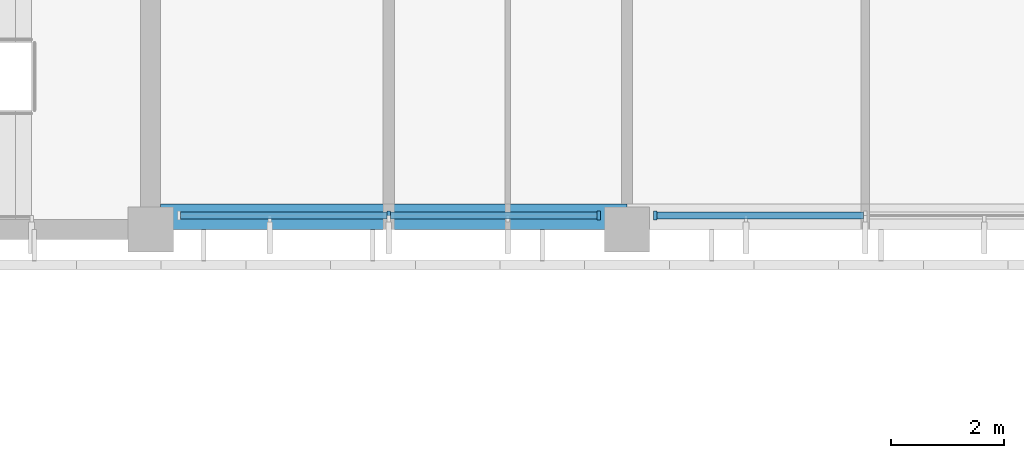
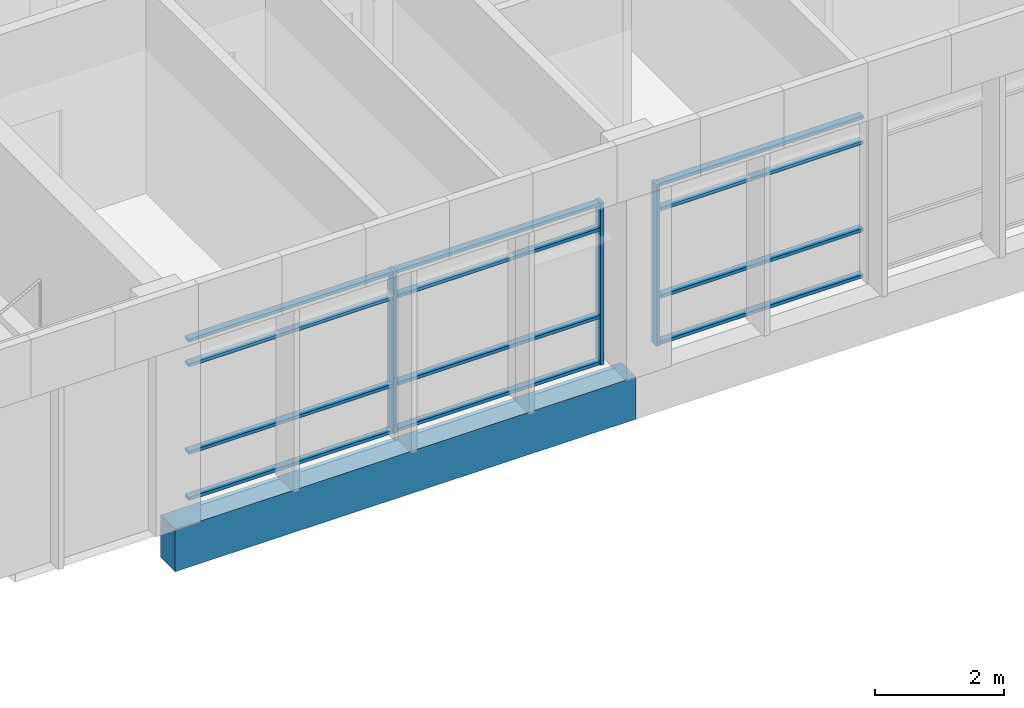
# One storey, part 27 of 137: 15 members, 1 beam, 2 elements without a shape of their own.
"""IFC4 building model written with IfcOpenShell, lengths in metres."""

from ifc_helpers import new_model, si_unit, direction, frame, origin, origin_2d, place, context, subcontext, project, spatial, rectangle, extrude, material, material_profile, profile_set, type_object, element, aggregate, save


model = new_model("IFC4")

# Units and contexts
model_context = context("Model", 3, precision=1e-05, world=origin(), true_north=direction((0.0, 1.0)))
body_context = subcontext(model_context, "Body", "Model", "MODEL_VIEW")
ifc_project = project(units=[si_unit("LENGTHUNIT", "METRE"), si_unit("AREAUNIT", "SQUARE_METRE"), si_unit("VOLUMEUNIT", "CUBIC_METRE"), si_unit("PLANEANGLEUNIT", "RADIAN"), si_unit("MASSUNIT", "GRAM", prefix="KILO")], contexts=[model_context])

# Site, building, storey
site_placement = place(None, origin())
site = spatial("IfcSite", under=ifc_project, at=site_placement, CompositionType="ELEMENT")
building_placement = place(site_placement, origin())
building = spatial("IfcBuilding", under=site, at=building_placement, Name="Bougainvillea Quay General Hospital", CompositionType="ELEMENT")
storey_placement = place(building_placement, frame((0.0, 0.0, 16.800048828125)))
storey = spatial("IfcBuildingStorey", under=building, at=storey_placement, Name="L03", CompositionType="ELEMENT", Elevation=16.800048828125)

# Curtain wall, members
ifc_material_1 = material(Name="Aluminium curtain wall system, powder-coated glazed", Category="aluminium")
curtain_wall_type = type_object("IfcCurtainWallType", Name="Unitised curtain wall CW-3730", PredefinedType="NOTDEFINED", material=ifc_material_1)
curtain_wall_1_placement = place(storey_placement, origin())
curtain_wall_1 = element("IfcCurtainWall", 1, at=curtain_wall_1_placement, inside=storey, type_object=curtain_wall_type, Name="CW-4200 02", PredefinedType="NOTDEFINED")
ifc_material_2 = material(Name="Aluminium mullion, powder-coated charcoal", Category="aluminium")
ifc_material_profile_1 = material_profile(ifc_material_2, rectangle(XDim=0.159912109375, YDim=0.06005859375, at=origin_2d()))
ifc_profile_set_1 = profile_set([ifc_material_profile_1], Name="Aluminium mullion, powder-coated charcoal")
member_type_1 = type_object("IfcMemberType", Name="Curtain wall mullion 160x60", PredefinedType="MULLION", material=ifc_profile_set_1)
member_1_placement = place(storey_placement, frame((130.199951171875, 117.85009765625, 0.0), z_axis=(0.0, 0.0, 1.0), x_axis=(0.0, 1.0, 0.0)))
member_1 = element("IfcMember", 2, at=member_1_placement, type_object=member_type_1, Name="CW-4200 mullion 2", PredefinedType="MULLION", context=body_context, shape_type="SweptSolid", body=[
    extrude(rectangle(XDim=0.159912109375, YDim=0.06005859375, at=origin_2d()), origin(), (0.0, 0.0, 1.0), 3.050048828125),
])
member_2_placement = place(storey_placement, frame((133.89990234375, 117.85009765625, 0.0), z_axis=(0.0, 0.0, 1.0), x_axis=(0.0, 1.0, 0.0)))
member_2 = element("IfcMember", 3, at=member_2_placement, type_object=member_type_1, Name="CW-4200 mullion 3", PredefinedType="MULLION", context=body_context, shape_type="SweptSolid", body=[
    extrude(rectangle(XDim=0.159912109375, YDim=0.06005859375, at=origin_2d()), origin(), (0.0, 0.0, 1.0), 3.050048828125),
])

# Curtain wall, member
curtain_wall_2_placement = place(storey_placement, origin())
curtain_wall_2 = element("IfcCurtainWall", 4, at=curtain_wall_2_placement, inside=storey, type_object=curtain_wall_type, Name="CW-4200 03", PredefinedType="NOTDEFINED")
member_3_placement = place(storey_placement, frame((134.89990234375, 117.85009765625, 0.0), z_axis=(0.0, 0.0, 1.0), x_axis=(0.0, 1.0, 0.0)))
member_3 = element("IfcMember", 5, at=member_3_placement, type_object=member_type_1, Name="CW-4200 mullion 1", PredefinedType="MULLION", context=body_context, shape_type="SweptSolid", body=[
    extrude(rectangle(XDim=0.159912109375, YDim=0.06005859375, at=origin_2d()), origin(), (0.0, 0.0, 1.0), 3.050048828125),
])

# Member
ifc_material_3 = material(Name="Aluminium transom, powder-coated charcoal", Category="aluminium")
ifc_material_profile_2 = material_profile(ifc_material_3, rectangle(XDim=0.1201171875, YDim=0.06005859375, at=origin_2d()))
ifc_profile_set_2 = profile_set([ifc_material_profile_2], Name="Aluminium transom, powder-coated charcoal")
member_type_2 = type_object("IfcMemberType", Name="Curtain wall transom 120x60", PredefinedType="USERDEFINED", material=ifc_profile_set_2)
member_4_placement = place(storey_placement, frame((126.530029296875, 117.85009765625, 0.030029296875), z_axis=(1.0, 0.0, 0.0), x_axis=(0.0, 1.0, 0.0)))
member_4 = element("IfcMember", 6, at=member_4_placement, type_object=member_type_2, Name="CW-4200 transom 1.1", ObjectType="TRANSOM", PredefinedType="USERDEFINED", context=body_context, shape_type="SweptSolid", body=[
    extrude(rectangle(XDim=0.1201171875, YDim=0.06005859375, at=origin_2d()), origin(), (0.0, 0.0, 1.0), 3.639892578125),
])

member_5_placement = place(storey_placement, frame((126.530029296875, 117.85009765625, 0.89990234375), z_axis=(1.0, 0.0, 0.0), x_axis=(0.0, 1.0, 0.0)))
member_5 = element("IfcMember", 7, at=member_5_placement, type_object=member_type_2, Name="CW-4200 transom 1.2", ObjectType="TRANSOM", PredefinedType="USERDEFINED", context=body_context, shape_type="SweptSolid", body=[
    extrude(rectangle(XDim=0.1201171875, YDim=0.06005859375, at=origin_2d()), origin(), (0.0, 0.0, 1.0), 3.639892578125),
])

member_6_placement = place(storey_placement, frame((126.530029296875, 117.85009765625, 2.550048828125), z_axis=(1.0, 0.0, 0.0), x_axis=(0.0, 1.0, 0.0)))
member_6 = element("IfcMember", 8, at=member_6_placement, type_object=member_type_2, Name="CW-4200 transom 1.3", ObjectType="TRANSOM", PredefinedType="USERDEFINED", context=body_context, shape_type="SweptSolid", body=[
    extrude(rectangle(XDim=0.1201171875, YDim=0.06005859375, at=origin_2d()), origin(), (0.0, 0.0, 1.0), 3.639892578125),
])

member_7_placement = place(storey_placement, frame((126.530029296875, 117.85009765625, 3.02001953125), z_axis=(1.0, 0.0, 0.0), x_axis=(0.0, 1.0, 0.0)))
member_7 = element("IfcMember", 9, at=member_7_placement, type_object=member_type_2, Name="CW-4200 transom 1.4", ObjectType="TRANSOM", PredefinedType="USERDEFINED", context=body_context, shape_type="SweptSolid", body=[
    extrude(rectangle(XDim=0.1201171875, YDim=0.06005859375, at=origin_2d()), origin(), (0.0, 0.0, 1.0), 3.639892578125),
])

member_8_placement = place(storey_placement, frame((130.22998046875, 117.85009765625, 0.030029296875), z_axis=(1.0, 0.0, 0.0), x_axis=(0.0, 1.0, 0.0)))
member_8 = element("IfcMember", 10, at=member_8_placement, type_object=member_type_2, Name="CW-4200 transom 2.1", ObjectType="TRANSOM", PredefinedType="USERDEFINED", context=body_context, shape_type="SweptSolid", body=[
    extrude(rectangle(XDim=0.1201171875, YDim=0.06005859375, at=origin_2d()), origin(), (0.0, 0.0, 1.0), 3.64013671875),
])

member_9_placement = place(storey_placement, frame((130.22998046875, 117.85009765625, 0.89990234375), z_axis=(1.0, 0.0, 0.0), x_axis=(0.0, 1.0, 0.0)))
member_9 = element("IfcMember", 11, at=member_9_placement, type_object=member_type_2, Name="CW-4200 transom 2.2", ObjectType="TRANSOM", PredefinedType="USERDEFINED", context=body_context, shape_type="SweptSolid", body=[
    extrude(rectangle(XDim=0.1201171875, YDim=0.06005859375, at=origin_2d()), origin(), (0.0, 0.0, 1.0), 3.64013671875),
])

member_10_placement = place(storey_placement, frame((130.22998046875, 117.85009765625, 2.550048828125), z_axis=(1.0, 0.0, 0.0), x_axis=(0.0, 1.0, 0.0)))
member_10 = element("IfcMember", 12, at=member_10_placement, type_object=member_type_2, Name="CW-4200 transom 2.3", ObjectType="TRANSOM", PredefinedType="USERDEFINED", context=body_context, shape_type="SweptSolid", body=[
    extrude(rectangle(XDim=0.1201171875, YDim=0.06005859375, at=origin_2d()), origin(), (0.0, 0.0, 1.0), 3.64013671875),
])

member_11_placement = place(storey_placement, frame((130.22998046875, 117.85009765625, 3.02001953125), z_axis=(1.0, 0.0, 0.0), x_axis=(0.0, 1.0, 0.0)))
member_11 = element("IfcMember", 13, at=member_11_placement, type_object=member_type_2, Name="CW-4200 transom 2.4", ObjectType="TRANSOM", PredefinedType="USERDEFINED", context=body_context, shape_type="SweptSolid", body=[
    extrude(rectangle(XDim=0.1201171875, YDim=0.06005859375, at=origin_2d()), origin(), (0.0, 0.0, 1.0), 3.64013671875),
])

aggregate(curtain_wall_1, [member_1, member_2, member_4, member_5, member_6, member_7, member_8, member_9, member_10, member_11])

member_12_placement = place(storey_placement, frame((134.929931640625, 117.85009765625, 0.030029296875), z_axis=(1.0, 0.0, 0.0), x_axis=(0.0, 1.0, 0.0)))
member_12 = element("IfcMember", 14, at=member_12_placement, type_object=member_type_2, Name="CW-4200 transom 1.1", ObjectType="TRANSOM", PredefinedType="USERDEFINED", context=body_context, shape_type="SweptSolid", body=[
    extrude(rectangle(XDim=0.1201171875, YDim=0.06005859375, at=origin_2d()), origin(), (0.0, 0.0, 1.0), 3.64013671875),
])

member_13_placement = place(storey_placement, frame((134.929931640625, 117.85009765625, 0.89990234375), z_axis=(1.0, 0.0, 0.0), x_axis=(0.0, 1.0, 0.0)))
member_13 = element("IfcMember", 15, at=member_13_placement, type_object=member_type_2, Name="CW-4200 transom 1.2", ObjectType="TRANSOM", PredefinedType="USERDEFINED", context=body_context, shape_type="SweptSolid", body=[
    extrude(rectangle(XDim=0.1201171875, YDim=0.06005859375, at=origin_2d()), origin(), (0.0, 0.0, 1.0), 3.64013671875),
])

member_14_placement = place(storey_placement, frame((134.929931640625, 117.85009765625, 2.550048828125), z_axis=(1.0, 0.0, 0.0), x_axis=(0.0, 1.0, 0.0)))
member_14 = element("IfcMember", 16, at=member_14_placement, type_object=member_type_2, Name="CW-4200 transom 1.3", ObjectType="TRANSOM", PredefinedType="USERDEFINED", context=body_context, shape_type="SweptSolid", body=[
    extrude(rectangle(XDim=0.1201171875, YDim=0.06005859375, at=origin_2d()), origin(), (0.0, 0.0, 1.0), 3.64013671875),
])

member_15_placement = place(storey_placement, frame((134.929931640625, 117.85009765625, 3.02001953125), z_axis=(1.0, 0.0, 0.0), x_axis=(0.0, 1.0, 0.0)))
member_15 = element("IfcMember", 17, at=member_15_placement, type_object=member_type_2, Name="CW-4200 transom 1.4", ObjectType="TRANSOM", PredefinedType="USERDEFINED", context=body_context, shape_type="SweptSolid", body=[
    extrude(rectangle(XDim=0.1201171875, YDim=0.06005859375, at=origin_2d()), origin(), (0.0, 0.0, 1.0), 3.64013671875),
])

aggregate(curtain_wall_2, [member_3, member_12, member_13, member_14, member_15])

# Beam
ifc_material_4 = material(Name="Concrete C40", Category="concrete")
ifc_material_profile_3 = material_profile(ifc_material_4, rectangle(XDim=0.449951171875, YDim=0.800048828125, at=origin_2d()))
ifc_profile_set_3 = profile_set([ifc_material_profile_3], Name="Concrete C40")
beam_type = type_object("IfcBeamType", Name="RC BEAM 450x800 C40", PredefinedType="BEAM", material=ifc_profile_set_3)
beam_placement = place(storey_placement, frame((126.175048828125, 117.824951171875, -0.699951171875), z_axis=(1.0, 0.0, 0.0), x_axis=(0.0, 1.0, 0.0)))
element("IfcBeam", 18, at=beam_placement, inside=storey, type_object=beam_type, Name="Edge beam L03", PredefinedType="BEAM", context=body_context, shape_type="SweptSolid", body=[
    extrude(rectangle(XDim=0.449951171875, YDim=0.800048828125, at=origin_2d()), origin(), (0.0, 0.0, 1.0), 8.224853515625),
])

save(model, "model.ifc")
